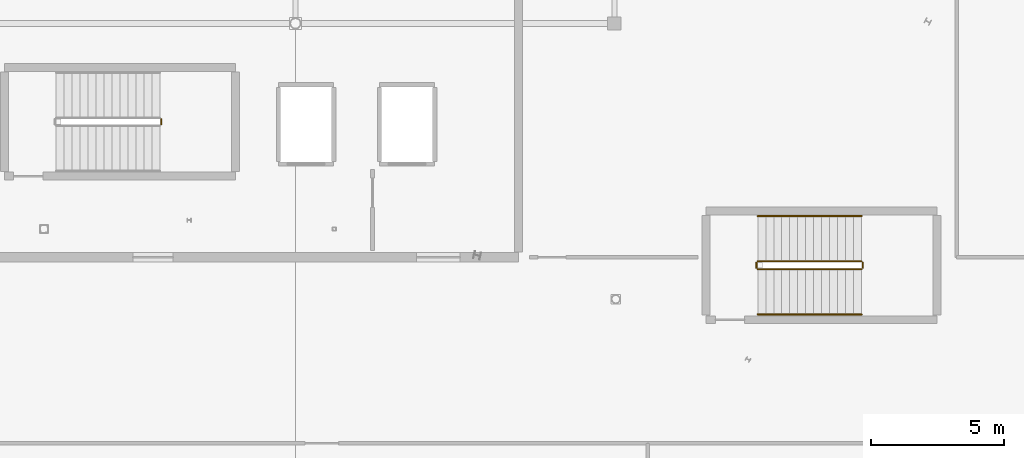
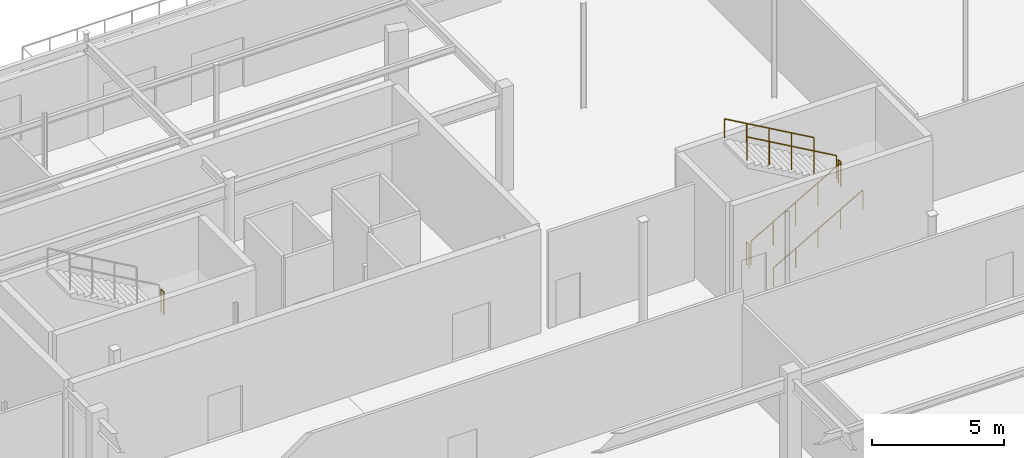
# One storey, part 186 of 199: 7 railings.
"""IFC4 building model written with IfcOpenShell, lengths in metres."""

from ifc_helpers import new_model, si_unit, direction, frame, origin, origin_2d, place, context, subcontext, project, spatial, circle, extrude, material, type_object, element, save


model = new_model("IFC4")

# Units and contexts
model_context = context("Model", 3, precision=1e-05, world=origin(), true_north=direction((0.0, 1.0)))
body_context = subcontext(model_context, "Body", "Model", "MODEL_VIEW")
ifc_project = project(units=[si_unit("LENGTHUNIT", "METRE"), si_unit("AREAUNIT", "SQUARE_METRE"), si_unit("VOLUMEUNIT", "CUBIC_METRE"), si_unit("PLANEANGLEUNIT", "RADIAN"), si_unit("MASSUNIT", "GRAM", prefix="KILO")], contexts=[model_context])

# Site, building, storey
site_placement = place(None, origin())
site = spatial("IfcSite", under=ifc_project, at=site_placement, CompositionType="ELEMENT")
building_placement = place(site_placement, origin())
building = spatial("IfcBuilding", under=site, at=building_placement, Name="Tarnwether General Hospital", CompositionType="ELEMENT")
storey_placement = place(building_placement, origin())
storey = spatial("IfcBuildingStorey", under=building, at=storey_placement, Name="L00", CompositionType="ELEMENT", Elevation=0.0)

# Railings
ifc_material_1 = material(Name="Anodised aluminium", Category="aluminium")
railing_type_1 = type_object("IfcRailingType", Name="RL-GRD-INT", PredefinedType="GUARDRAIL", material=ifc_material_1)
railing_1_placement = place(storey_placement, frame((90.949951171875, 111.39990234375, 2.39990234375)))
element("IfcRailing", 1, at=railing_1_placement, inside=storey, type_object=railing_type_1, Name="L00 ST-01 stair guard 2", PredefinedType="GUARDRAIL", context=body_context, shape_type="SweptSolid", body=[
    extrude(circle(Radius=0.02392578125, at=origin_2d()), frame((0.0, 0.0, 1.076171875), z_axis=(0.0, 1.0, 0.0), x_axis=(-1.0, 0.0, 0.0)), (0.0, 0.0, 1.0), 0.2001953125),
    extrude(circle(Radius=0.02099609375, at=origin_2d()), origin(), (0.0, 0.0, 1.0), 1.052001953125),
    extrude(circle(Radius=0.02099609375, at=origin_2d()), frame((0.0, 0.2001953125, 0.0)), (0.0, 0.0, 1.0), 1.052001953125),
])
railing_2_placement = place(storey_placement, frame((113.39990234375, 105.949951171875, 0.17138671875)))
element("IfcRailing", 2, at=railing_2_placement, inside=storey, type_object=railing_type_1, Name="L00 ST-08 stair guard 1", PredefinedType="GUARDRAIL", context=body_context, shape_type="SweptSolid", body=[
    extrude(circle(Radius=0.02392578125, at=origin_2d()), frame((0.0, 0.0, 1.076171875), z_axis=(0.868256520506, 0.0, 0.496115525457), x_axis=(0.0, 1.0, 0.0)), (0.0, 0.0, 1.0), 4.491943359375),
    extrude(circle(Radius=0.02099609375, at=origin_2d()), origin(), (0.0, 0.0, 1.0), 1.052001953125),
    extrude(circle(Radius=0.02099609375, at=origin_2d()), frame((0.97509765625, 0.0, 0.55712890625)), (0.0, 0.0, 1.0), 1.052001953125),
    extrude(circle(Radius=0.02099609375, at=origin_2d()), frame((1.9501953125, 0.0, 1.1142578125)), (0.0, 0.0, 1.0), 1.052001953125),
    extrude(circle(Radius=0.02099609375, at=origin_2d()), frame((2.925048828125, 0.0, 1.67138671875)), (0.0, 0.0, 1.0), 1.052001953125),
    extrude(circle(Radius=0.02099609375, at=origin_2d()), frame((3.900146484375, 0.0, 2.228515625)), (0.0, 0.0, 1.0), 1.052001953125),
])
railing_3_placement = place(storey_placement, frame((117.35009765625, 106.0, 2.39990234375)))
element("IfcRailing", 3, at=railing_3_placement, inside=storey, type_object=railing_type_1, Name="L00 ST-08 stair guard 2", PredefinedType="GUARDRAIL", context=body_context, shape_type="SweptSolid", body=[
    extrude(circle(Radius=0.02392578125, at=origin_2d()), frame((0.0, 0.0, 1.076171875), z_axis=(0.0, 1.0, 0.0), x_axis=(-1.0, 0.0, 0.0)), (0.0, 0.0, 1.0), 0.199951171875),
    extrude(circle(Radius=0.02099609375, at=origin_2d()), origin(), (0.0, 0.0, 1.0), 1.052001953125),
    extrude(circle(Radius=0.02099609375, at=origin_2d()), frame((0.0, 0.199951171875, 0.0)), (0.0, 0.0, 1.0), 1.052001953125),
])
railing_4_placement = place(storey_placement, frame((117.300048828125, 106.25, 2.571533203125)))
element("IfcRailing", 4, at=railing_4_placement, inside=storey, type_object=railing_type_1, Name="L00 ST-08 stair guard 3", PredefinedType="GUARDRAIL", context=body_context, shape_type="SweptSolid", body=[
    extrude(circle(Radius=0.02392578125, at=origin_2d()), frame((0.0, 0.0, 1.076171875), z_axis=(-0.868256520506, 0.0, 0.496115525457), x_axis=(0.0, -1.0, 0.0)), (0.0, 0.0, 1.0), 4.491943359375),
    extrude(circle(Radius=0.02099609375, at=origin_2d()), origin(), (0.0, 0.0, 1.0), 1.052001953125),
    extrude(circle(Radius=0.02099609375, at=origin_2d()), frame((-0.97509765625, 0.0, 0.55712890625)), (0.0, 0.0, 1.0), 1.052001953125),
    extrude(circle(Radius=0.02099609375, at=origin_2d()), frame((-1.9501953125, 0.0, 1.1142578125)), (0.0, 0.0, 1.0), 1.052001953125),
    extrude(circle(Radius=0.02099609375, at=origin_2d()), frame((-2.925048828125, 0.0, 1.67138671875)), (0.0, 0.0, 1.0), 1.052001953125),
    extrude(circle(Radius=0.02099609375, at=origin_2d()), frame((-3.900146484375, 0.0, 2.228515625)), (0.0, 0.0, 1.0), 1.052001953125),
])
railing_5_placement = place(storey_placement, frame((113.35009765625, 106.0, 0.0)))
element("IfcRailing", 5, at=railing_5_placement, inside=storey, type_object=railing_type_1, Name="L00 ST-08 stair guard 4", PredefinedType="GUARDRAIL", context=body_context, shape_type="SweptSolid", body=[
    extrude(circle(Radius=0.02392578125, at=origin_2d()), frame((0.0, 0.0, 1.076171875), z_axis=(0.0, 1.0, 0.0), x_axis=(-1.0, 0.0, 0.0)), (0.0, 0.0, 1.0), 0.199951171875),
    extrude(circle(Radius=0.02099609375, at=origin_2d()), origin(), (0.0, 0.0, 1.0), 1.052001953125),
    extrude(circle(Radius=0.02099609375, at=origin_2d()), frame((0.0, 0.199951171875, 0.0)), (0.0, 0.0, 1.0), 1.052001953125),
])
ifc_material_2 = material(Name="Anodised aluminium", Category="aluminium")
railing_type_2 = type_object("IfcRailingType", Name="RL-HND-INT", PredefinedType="HANDRAIL", material=ifc_material_2)
railing_6_placement = place(storey_placement, frame((113.39990234375, 104.25, 0.17138671875)))
element("IfcRailing", 6, at=railing_6_placement, inside=storey, type_object=railing_type_2, Name="L00 ST-08 stair handrail 1", PredefinedType="HANDRAIL", context=body_context, shape_type="SweptSolid", body=[
    extrude(circle(Radius=0.02392578125, at=origin_2d()), frame((0.0, 0.0, 0.8759765625), z_axis=(0.868256520506, 0.0, 0.496115525457), x_axis=(0.0, 1.0, 0.0)), (0.0, 0.0, 1.0), 4.491943359375),
    extrude(circle(Radius=0.02099609375, at=origin_2d()), origin(), (0.0, 0.0, 1.0), 0.851806640625),
    extrude(circle(Radius=0.02099609375, at=origin_2d()), frame((0.97509765625, 0.0, 0.55712890625)), (0.0, 0.0, 1.0), 0.851806640625),
    extrude(circle(Radius=0.02099609375, at=origin_2d()), frame((1.9501953125, 0.0, 1.1142578125)), (0.0, 0.0, 1.0), 0.851806640625),
    extrude(circle(Radius=0.02099609375, at=origin_2d()), frame((2.925048828125, 0.0, 1.67138671875)), (0.0, 0.0, 1.0), 0.851806640625),
    extrude(circle(Radius=0.02099609375, at=origin_2d()), frame((3.900146484375, 0.0, 2.228515625)), (0.0, 0.0, 1.0), 0.851806640625),
])
railing_7_placement = place(storey_placement, frame((117.300048828125, 107.949951171875, 2.571533203125)))
element("IfcRailing", 7, at=railing_7_placement, inside=storey, type_object=railing_type_2, Name="L00 ST-08 stair handrail 2", PredefinedType="HANDRAIL", context=body_context, shape_type="SweptSolid", body=[
    extrude(circle(Radius=0.02392578125, at=origin_2d()), frame((0.0, 0.0, 0.8759765625), z_axis=(-0.868256520506, 0.0, 0.496115525457), x_axis=(0.0, -1.0, 0.0)), (0.0, 0.0, 1.0), 4.491943359375),
    extrude(circle(Radius=0.02099609375, at=origin_2d()), origin(), (0.0, 0.0, 1.0), 0.851806640625),
    extrude(circle(Radius=0.02099609375, at=origin_2d()), frame((-0.97509765625, 0.0, 0.55712890625)), (0.0, 0.0, 1.0), 0.851806640625),
    extrude(circle(Radius=0.02099609375, at=origin_2d()), frame((-1.9501953125, 0.0, 1.1142578125)), (0.0, 0.0, 1.0), 0.851806640625),
    extrude(circle(Radius=0.02099609375, at=origin_2d()), frame((-2.925048828125, 0.0, 1.67138671875)), (0.0, 0.0, 1.0), 0.851806640625),
    extrude(circle(Radius=0.02099609375, at=origin_2d()), frame((-3.900146484375, 0.0, 2.228515625)), (0.0, 0.0, 1.0), 0.851806640625),
])

save(model, "model.ifc")
